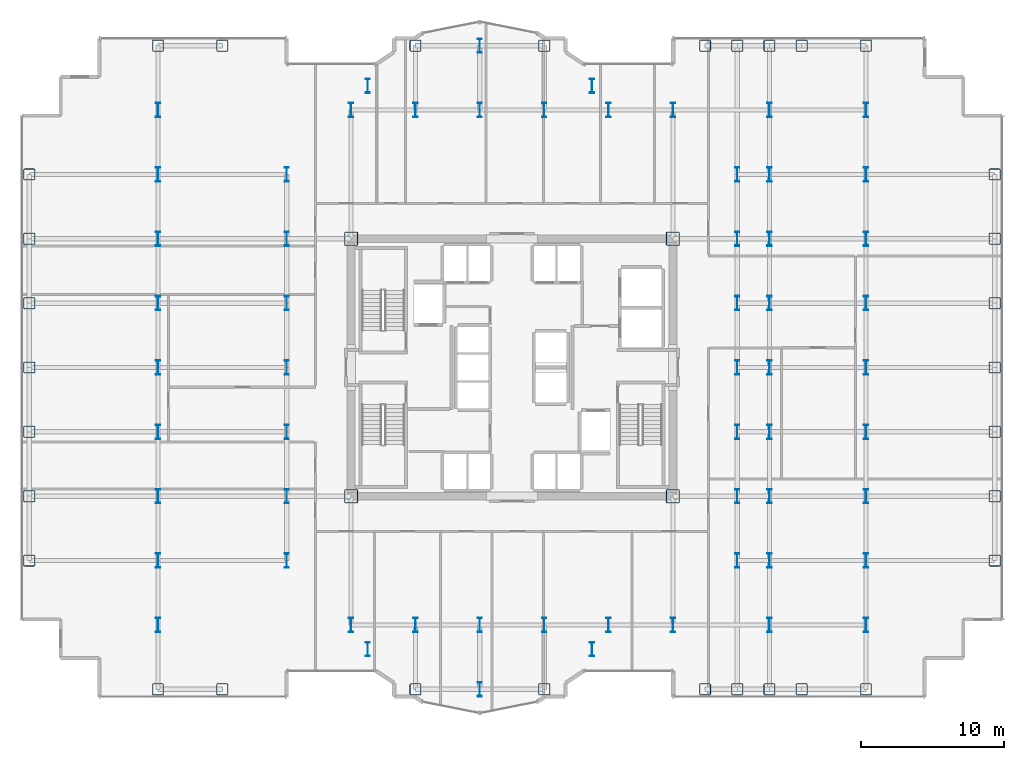
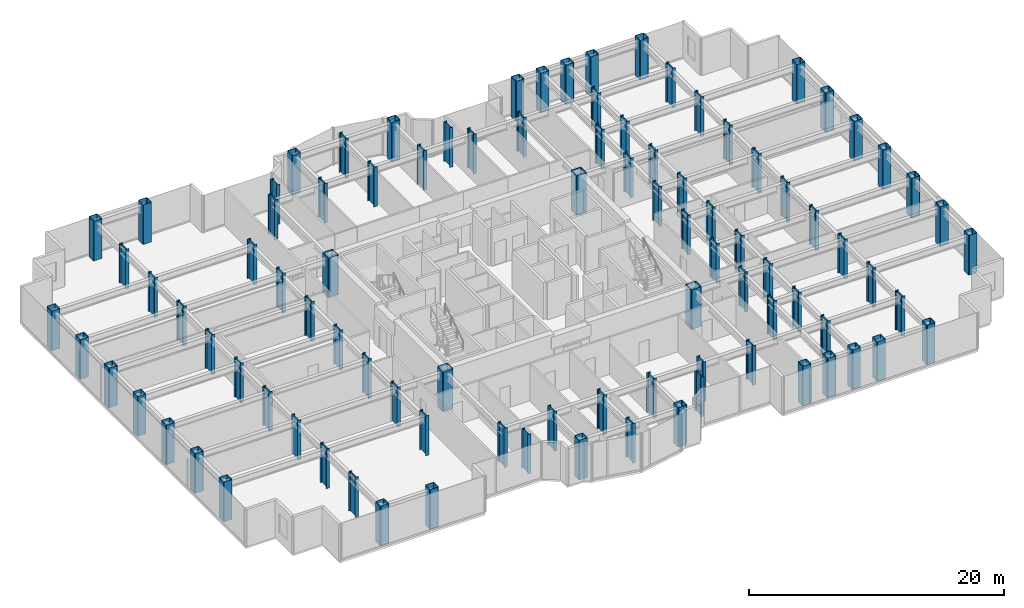
# One storey, part 1 of 26: 95 columns.
"""IFC4 building model written with IfcOpenShell, lengths in metres."""

import ifcopenshell
import ifcopenshell.guid

model = None  # the IFC model being written
_history = None  # IfcOwnerHistory: only IFC2X3 demands one
_inside = {}  # id of a spatial element -> (the spatial element, [elements in it])
_under = {}  # id of a project, library or spatial element -> (it, [spatial elements below it])
_declared = {}  # id of a project -> (the project, [libraries it declares])
_typed = {}  # id of a type object -> (the type object, [elements of that type])
_made_of = {}  # id of a material, layer set ... -> (it, [elements and type objects made of it])


def new_model(schema):
    """Start an empty IFC model of exactly this schema.

    Asked for "IFC4X3", IfcOpenShell would pick the latest addendum, in which some entities
    have other attributes; the version numbers below select the first issue.
    IFC2X3 requires an IfcOwnerHistory on every rooted entity: one is made here for all.
    """
    global model, _history
    if schema == "IFC4X3":
        model = ifcopenshell.file(schema_version=(4, 3, 0, 0))
    else:
        model = ifcopenshell.file(schema=schema)
    _inside.clear()
    _under.clear()
    _declared.clear()
    _typed.clear()
    _made_of.clear()
    _history = None
    if model.schema == "IFC2X3":
        org = make("IfcOrganization", Name="unknown")
        user = make(
            "IfcPersonAndOrganization",
            ThePerson=make("IfcPerson", FamilyName="unknown"),
            TheOrganization=org,
        )
        app = make(
            "IfcApplication",
            ApplicationDeveloper=org,
            Version="unknown",
            ApplicationFullName="unknown",
            ApplicationIdentifier="unknown",
        )
        _history = make(
            "IfcOwnerHistory",
            OwningUser=user,
            OwningApplication=app,
            ChangeAction="ADDED",
            CreationDate=0,
        )
    return model


def make(cls, **values):
    """One entity of the class cls with the attributes given. An attribute that is None is left unset."""
    return model.create_entity(
        cls, **{name: value for name, value in values.items() if value is not None}
    )


def rooted(cls, **values):
    """An entity with a GlobalId (a new one), such as an element, a storey or a relation."""
    return make(cls, GlobalId=ifcopenshell.guid.new(), OwnerHistory=_history, **values)


def si_unit(unit_type, name, prefix=None):
    """IfcSIUnit, for example si_unit("LENGTHUNIT", "METRE", prefix="MILLI")."""
    return make("IfcSIUnit", UnitType=unit_type, Prefix=prefix, Name=name)


def assignment(units):
    """IfcUnitAssignment: the units of a project."""
    return None if units is None else make("IfcUnitAssignment", Units=units)


def point(xyz):
    """IfcCartesianPoint."""
    return None if xyz is None else make("IfcCartesianPoint", Coordinates=xyz)


def direction(xyz):
    """IfcDirection."""
    return None if xyz is None else make("IfcDirection", DirectionRatios=xyz)


def frame(location, z_axis=None, x_axis=None):
    """IfcAxis2Placement3D, a coordinate frame: its origin and axes. An axis left out is left unset."""
    return make(
        "IfcAxis2Placement3D",
        Location=point(location),
        Axis=direction(z_axis),
        RefDirection=direction(x_axis),
    )


def frame_2d(location, x_axis=None):
    """IfcAxis2Placement2D, a coordinate frame in the plane: its origin and x axis."""
    return make(
        "IfcAxis2Placement2D", Location=point(location), RefDirection=direction(x_axis)
    )


def origin():
    """The frame at (0, 0, 0) with its axes left unset."""
    return frame((0.0, 0.0, 0.0))


def origin_2d():
    """The frame at (0, 0) in the plane with its x axis left unset."""
    return frame_2d((0.0, 0.0))


def place(relative_to, where):
    """IfcLocalPlacement: puts the frame where relative to a parent placement (None: the world)."""
    return make(
        "IfcLocalPlacement", PlacementRelTo=relative_to, RelativePlacement=where
    )


def context(
    kind, dimensions, precision=None, world=None, true_north=None, identifier=None
):
    """IfcGeometricRepresentationContext, for example the 3D "Model" context."""
    return make(
        "IfcGeometricRepresentationContext",
        ContextIdentifier=identifier,
        ContextType=kind,
        CoordinateSpaceDimension=dimensions,
        Precision=precision,
        WorldCoordinateSystem=world,
        TrueNorth=true_north,
    )


def subcontext(parent, identifier, kind, view, scale=None):
    """IfcGeometricRepresentationSubContext, for example "Body" below "Model"."""
    return make(
        "IfcGeometricRepresentationSubContext",
        ContextIdentifier=identifier,
        ContextType=kind,
        ParentContext=parent,
        TargetScale=scale,
        TargetView=view,
    )


def project(units=None, contexts=None):
    """IfcProject with its units and contexts."""
    return rooted(
        "IfcProject",
        Name="project",
        RepresentationContexts=contexts,
        UnitsInContext=assignment(units),
    )


def spatial(cls, under=None, at=None, **own):
    """A site, building, storey or space (cls), placed at a placement, below another one or the project."""
    s = rooted(cls, ObjectPlacement=at, **own)
    if under is not None:
        _under.setdefault(under.id(), (under, []))[1].append(s)
    return s


def profile(cls, at=None, kind="AREA", **sizes):
    """A parametric profile (cls). Its sizes go by their IFC names, for example OverallWidth=200.0."""
    return make(cls, ProfileType=kind, Position=at, **sizes)


def hollow_rectangle(**sizes):
    """IfcRectangleHollowProfileDef."""
    return profile("IfcRectangleHollowProfileDef", **sizes)


def i_section(**sizes):
    """IfcIShapeProfileDef."""
    return profile("IfcIShapeProfileDef", **sizes)


def extrude(swept, where, along, depth):
    """IfcExtrudedAreaSolid: the profile swept, set in the frame where, extruded along a direction by depth."""
    return make(
        "IfcExtrudedAreaSolid",
        SweptArea=swept,
        Position=where,
        ExtrudedDirection=direction(along),
        Depth=depth,
    )


def shape(context_of_items, identifier, shape_type, items):
    """IfcShapeRepresentation: the items that make up one representation, for example the "Body"."""
    return make(
        "IfcShapeRepresentation",
        ContextOfItems=context_of_items,
        RepresentationIdentifier=identifier,
        RepresentationType=shape_type,
        Items=items,
    )


def source(mapping_origin, context_of_items, identifier, shape_type, items):
    """IfcRepresentationMap: a shape defined once, which mapped items show again and again."""
    return make(
        "IfcRepresentationMap",
        MappingOrigin=mapping_origin,
        MappedRepresentation=shape(context_of_items, identifier, shape_type, items),
    )


def transform(
    local_origin,
    x_axis=None,
    y_axis=None,
    z_axis=None,
    scale=None,
    scale2=None,
    scale3=None,
    uniform=True,
):
    """IfcCartesianTransformationOperator3D, or its non-uniform kind. x_axis, y_axis, z_axis: its Axis1, 2, 3."""
    if uniform:
        return make(
            "IfcCartesianTransformationOperator3D",
            Axis1=direction(x_axis),
            Axis2=direction(y_axis),
            LocalOrigin=point(local_origin),
            Scale=scale,
            Axis3=direction(z_axis),
        )
    return make(
        "IfcCartesianTransformationOperator3DnonUniform",
        Axis1=direction(x_axis),
        Axis2=direction(y_axis),
        LocalOrigin=point(local_origin),
        Scale=scale,
        Axis3=direction(z_axis),
        Scale2=scale2,
        Scale3=scale3,
    )


def mapped(mapping_source, mapping_target):
    """IfcMappedItem: shows the shape of a source again, moved by a transform."""
    return make(
        "IfcMappedItem", MappingSource=mapping_source, MappingTarget=mapping_target
    )


def material(Name=None, Category=None):
    """IfcMaterial."""
    return make("IfcMaterial", Name=Name, Category=Category)


def material_profile(
    of_material, cross_section, Name=None, Category=None, Priority=None
):
    """IfcMaterialProfile: a cross section and its material."""
    return make(
        "IfcMaterialProfile",
        Name=Name,
        Material=of_material,
        Profile=cross_section,
        Priority=Priority,
        Category=Category,
    )


def profile_set(profiles, Name=None, composite=None):
    """IfcMaterialProfileSet."""
    return make(
        "IfcMaterialProfileSet",
        Name=Name,
        MaterialProfiles=profiles,
        CompositeProfile=composite,
    )


def made_of(thing, what):
    """Note that an element or type object is made of a material, layer set ...; save() writes the relation."""
    if what is not None:
        _made_of.setdefault(what.id(), (what, []))[1].append(thing)
    return thing


def type_object(cls, material=None, **own):
    """A type object (cls), such as IfcWallType, which elements share."""
    return made_of(rooted(cls, **own), material)


def element(
    cls,
    number,
    at=None,
    inside=None,
    cuts=None,
    type_object=None,
    material=None,
    context=None,
    identifier="Body",
    shape_type=None,
    held_by="IfcProductDefinitionShape",
    body=None,
    shapes=None,
    **own,
):
    """One element of the class cls, such as IfcWall. Its Tag is "e" and its number.

    at: its placement. inside: the storey or other place that contains it. cuts: it is an
    opening in that element (IfcRelVoidsElement). A single representation is given by context,
    identifier, shape_type and body (its items); several are given by shapes. held_by: the class
    of the entity that holds the representations. save() writes the other relations.
    """
    e = rooted(cls, Tag="e%d" % number, ObjectPlacement=at, **own)
    if body is not None:
        shapes = [shape(context, identifier, shape_type, body)]
    if shapes is not None:
        e.Representation = make(held_by, Representations=shapes)
    if inside is not None:
        _inside.setdefault(inside.id(), (inside, []))[1].append(e)
    if cuts is not None:
        rooted(
            "IfcRelVoidsElement", RelatingBuildingElement=cuts, RelatedOpeningElement=e
        )
    if type_object is not None:
        _typed.setdefault(type_object.id(), (type_object, []))[1].append(e)
    return made_of(e, material)


def aggregate(whole, parts):
    """IfcRelAggregates: a whole, such as a stair, and the parts it consists of."""
    return rooted("IfcRelAggregates", RelatingObject=whole, RelatedObjects=parts)


def save(model, path):
    """Write the relations noted so far, then the file.

    IfcRelAggregates (storeys below a building ...), IfcRelContainedInSpatialStructure (elements
    in a storey), IfcRelDefinesByType, IfcRelAssociatesMaterial and IfcRelDeclares: one each for
    every whole, place, type object, material and project.
    """
    for whole, parts in _under.values():
        aggregate(whole, parts)
    for where, things in _inside.values():
        rooted(
            "IfcRelContainedInSpatialStructure",
            RelatedElements=things,
            RelatingStructure=where,
        )
    for kind, things in _typed.values():
        rooted("IfcRelDefinesByType", RelatedObjects=things, RelatingType=kind)
    for what, things in _made_of.values():
        rooted("IfcRelAssociatesMaterial", RelatedObjects=things, RelatingMaterial=what)
    for by, libraries in _declared.values():
        rooted("IfcRelDeclares", RelatingContext=by, RelatedDefinitions=libraries)
    model.write(path)


model = new_model("IFC4")

# Units and contexts
model_context = context("Model", 3, precision=1e-05, world=origin(), true_north=direction((0.0, 1.0)))
body_context = subcontext(model_context, "Body", "Model", "MODEL_VIEW")
ifc_project = project(units=[si_unit("LENGTHUNIT", "METRE"), si_unit("AREAUNIT", "SQUARE_METRE"), si_unit("VOLUMEUNIT", "CUBIC_METRE"), si_unit("PLANEANGLEUNIT", "RADIAN"), si_unit("MASSUNIT", "GRAM", prefix="KILO")], contexts=[model_context])

# Site, building, storey
site_placement = place(None, origin())
site = spatial("IfcSite", under=ifc_project, at=site_placement, CompositionType="ELEMENT")
building_placement = place(site_placement, origin())
building = spatial("IfcBuilding", under=site, at=building_placement, Name="Nefas-Gora Pilgrimage Tower", CompositionType="ELEMENT")
storey_placement = place(building_placement, frame((0.0, 0.0, 117.39990234375)))
storey = spatial("IfcBuildingStorey", under=building, at=storey_placement, Name="L28", CompositionType="ELEMENT", Elevation=117.39990234375)

# Columns
ifc_material = material(Name="Steel S460", Category="steel")
ifc_material_profile_1 = material_profile(ifc_material, i_section(OverallWidth=0.302001953125, OverallDepth=1.008056640625, WebThickness=0.02099609375, FlangeThickness=0.0400390625, FilletRadius=0.030029296875, at=origin_2d()), Name="HEM 1000")
ifc_profile_set_1 = profile_set([ifc_material_profile_1], Name="Steel S460")
column_type_1 = type_object("IfcColumnType", Name="COL-WEB-HEM1000", PredefinedType="COLUMN", material=ifc_profile_set_1)
shared_shape_1 = source(origin(), body_context, "Body", "SweptSolid", [
    extrude(i_section(OverallWidth=0.302001953125, OverallDepth=1.008056640625, WebThickness=0.02099609375, FlangeThickness=0.0400390625, FilletRadius=0.030029296875, at=origin_2d()), origin(), (0.0, 0.0, 1.0), 3.800048828125),
])
for number, where, z_axis, x_axis, name in (
    (1, (-24.75, -18.0, 0.0), (0.0, 0.0, 1.0), (1.0, 0.0, 0.0), "L28 Tower Column CW-01.9"),
    (2, (-24.75, -13.5, 0.0), (0.0, 0.0, 1.0), (1.0, 0.0, 0.0), "L28 Tower Column CW-01.10"),
    (3, (-24.75, -9.0, 0.0), (0.0, 0.0, 1.0), (1.0, 0.0, 0.0), "L28 Tower Column CW-01.11"),
    (4, (-24.75, -4.5, 0.0), (0.0, 0.0, 1.0), (1.0, 0.0, 0.0), "L28 Tower Column CW-01.12"),
    (5, (-24.75, 0.0, 0.0), (0.0, 0.0, 1.0), (1.0, 0.0, 0.0), "L28 Tower Column CW-01.13"),
    (6, (-24.75, 4.5, 0.0), (0.0, 0.0, 1.0), (1.0, 0.0, 0.0), "L28 Tower Column CW-01.14"),
    (7, (-24.75, 9.0, 0.0), (0.0, 0.0, 1.0), (1.0, 0.0, 0.0), "L28 Tower Column CW-01.15"),
    (8, (-24.75, 13.5, 0.0), (0.0, 0.0, 1.0), (1.0, 0.0, 0.0), "L28 Tower Column CW-01.16"),
    (9, (-24.75, 18.0, 0.0), (0.0, 0.0, 1.0), (1.0, 0.0, 0.0), "L28 Tower Column CW-01.17"),
    (10, (-15.75, -13.5, 0.0), (0.0, 0.0, 1.0), (1.0, 0.0, 0.0), "L28 Tower Column CW-01.21"),
    (11, (-15.75, -9.0, 0.0), (0.0, 0.0, 1.0), (1.0, 0.0, 0.0), "L28 Tower Column CW-01.22"),
    (12, (-15.75, -4.5, 0.0), (0.0, 0.0, 1.0), (1.0, 0.0, 0.0), "L28 Tower Column CW-01.23"),
    (13, (-15.75, 0.0, 0.0), (0.0, 0.0, 1.0), (1.0, 0.0, 0.0), "L28 Tower Column CW-01.24"),
    (14, (-15.75, 4.5, 0.0), (0.0, 0.0, 1.0), (1.0, 0.0, 0.0), "L28 Tower Column CW-01.25"),
    (15, (-15.75, 9.0, 0.0), (0.0, 0.0, 1.0), (1.0, 0.0, 0.0), "L28 Tower Column CW-01.26"),
    (16, (-15.75, 13.5, 0.0), (0.0, 0.0, 1.0), (1.0, 0.0, 0.0), "L28 Tower Column CW-01.27"),
    (17, (-11.25, -18.0, 0.0), (0.0, 0.0, 1.0), (1.0, 0.0, 0.0), "L28 Tower Column CW-01.28"),
    (18, (-11.25, 18.0, 0.0), (0.0, 0.0, 1.0), (1.0, 0.0, 0.0), "L28 Tower Column CW-01.31"),
    (19, (-10.091064453125, -19.696044921875, 0.0), (0.0, 0.0, 1.0), (1.0, 0.0, 0.0), "L28 Tower Column CW-01.32"),
    (20, (-10.091064453125, 19.696044921875, 0.0), (0.0, 0.0, 1.0), (1.0, 0.0, 0.0), "L28 Tower Column CW-01.33"),
    (21, (-6.75, -18.0, 0.0), (0.0, 0.0, 1.0), (1.0, 0.0, 0.0), "L28 Tower Column CW-01.35"),
    (22, (-6.75, 18.0, 0.0), (0.0, 0.0, 1.0), (1.0, 0.0, 0.0), "L28 Tower Column CW-01.36"),
    (23, (-2.25, -22.5, 0.0), (0.0, 0.0, 1.0), (1.0, 0.0, 0.0), "L28 Tower Column CW-01.38"),
    (24, (-2.25, -18.0, 0.0), (0.0, 0.0, 1.0), (1.0, 0.0, 0.0), "L28 Tower Column CW-01.39"),
    (25, (-2.25, 18.0, 0.0), (0.0, 0.0, 1.0), (1.0, 0.0, 0.0), "L28 Tower Column CW-01.40"),
    (26, (-2.25, 22.5, 0.0), (0.0, 0.0, 1.0), (1.0, 0.0, 0.0), "L28 Tower Column CW-01.41"),
    (27, (2.25, -18.0, 0.0), (0.0, 0.0, 1.0), (1.0, 0.0, 0.0), "L28 Tower Column CW-01.43"),
    (28, (2.25, 18.0, 0.0), (0.0, 0.0, 1.0), (1.0, 0.0, 0.0), "L28 Tower Column CW-01.44"),
    (29, (5.591064453125, -19.696044921875, 0.0), (0.0, 0.0, 1.0), (1.0, 0.0, 0.0), "L28 Tower Column CW-01.46"),
    (30, (5.591064453125, 19.696044921875, 0.0), (0.0, 0.0, 1.0), (1.0, 0.0, 0.0), "L28 Tower Column CW-01.47"),
    (31, (6.75, -18.0, 0.0), (0.0, 0.0, 1.0), (1.0, 0.0, 0.0), "L28 Tower Column CW-01.48"),
    (32, (6.75, 18.0, 0.0), (0.0, 0.0, 1.0), (1.0, 0.0, 0.0), "L28 Tower Column CW-01.49"),
    (33, (11.25, -18.0, 0.0), (0.0, 0.0, 1.0), (1.0, 0.0, 0.0), "L28 Tower Column CW-01.50"),
    (34, (11.25, 18.0, 0.0), (0.0, 0.0, 1.0), (1.0, 0.0, 0.0), "L28 Tower Column CW-01.53"),
    (35, (15.75, -13.5, 0.0), (0.0, 0.0, 1.0), (1.0, 0.0, 0.0), "L28 Tower Column CW-01.57"),
    (36, (15.75, -9.0, 0.0), (0.0, 0.0, 1.0), (1.0, 0.0, 0.0), "L28 Tower Column CW-01.58"),
    (37, (15.75, -4.5, 0.0), (0.0, 0.0, 1.0), (1.0, 0.0, 0.0), "L28 Tower Column CW-01.59"),
    (38, (15.75, 0.0, 0.0), (0.0, 0.0, 1.0), (1.0, 0.0, 0.0), "L28 Tower Column CW-01.60"),
    (39, (15.75, 4.5, 0.0), (0.0, 0.0, 1.0), (1.0, 0.0, 0.0), "L28 Tower Column CW-01.61"),
    (40, (15.75, 9.0, 0.0), (0.0, 0.0, 1.0), (1.0, 0.0, 0.0), "L28 Tower Column CW-01.62"),
    (41, (15.75, 13.5, 0.0), (0.0, 0.0, 1.0), (1.0, 0.0, 0.0), "L28 Tower Column CW-01.63"),
    (42, (18.0, -18.0, 0.0), (0.0, 0.0, 1.0), (1.0, 0.0, 0.0), "L28 Tower Column CW-01.66"),
    (43, (18.0, -13.5, 0.0), (0.0, 0.0, 1.0), (1.0, 0.0, 0.0), "L28 Tower Column CW-01.67"),
    (44, (18.0, -9.0, 0.0), (0.0, 0.0, 1.0), (1.0, 0.0, 0.0), "L28 Tower Column CW-01.68"),
    (45, (18.0, -4.5, 0.0), (0.0, 0.0, 1.0), (1.0, 0.0, 0.0), "L28 Tower Column CW-01.69"),
    (46, (18.0, 0.0, 0.0), (0.0, 0.0, 1.0), (1.0, 0.0, 0.0), "L28 Tower Column CW-01.70"),
    (47, (18.0, 4.5, 0.0), (0.0, 0.0, 1.0), (1.0, 0.0, 0.0), "L28 Tower Column CW-01.71"),
    (48, (18.0, 9.0, 0.0), (0.0, 0.0, 1.0), (1.0, 0.0, 0.0), "L28 Tower Column CW-01.72"),
    (49, (18.0, 13.5, 0.0), (0.0, 0.0, 1.0), (1.0, 0.0, 0.0), "L28 Tower Column CW-01.73"),
    (50, (18.0, 18.0, 0.0), (0.0, 0.0, 1.0), (1.0, 0.0, 0.0), "L28 Tower Column CW-01.74"),
    (51, (24.75, -18.0, 0.0), (0.0, 0.0, 1.0), (1.0, 0.0, 0.0), "L28 Tower Column CW-01.79"),
    (52, (24.75, -13.5, 0.0), (0.0, 0.0, 1.0), (1.0, 0.0, 0.0), "L28 Tower Column CW-01.80"),
    (53, (24.75, -9.0, 0.0), (0.0, 0.0, 1.0), (1.0, 0.0, 0.0), "L28 Tower Column CW-01.81"),
    (54, (24.75, -4.5, 0.0), (0.0, 0.0, 1.0), (1.0, 0.0, 0.0), "L28 Tower Column CW-01.82"),
    (55, (24.75, 0.0, 0.0), (0.0, 0.0, 1.0), (1.0, 0.0, 0.0), "L28 Tower Column CW-01.83"),
    (56, (24.75, 4.5, 0.0), (0.0, 0.0, 1.0), (1.0, 0.0, 0.0), "L28 Tower Column CW-01.84"),
    (57, (24.75, 9.0, 0.0), (0.0, 0.0, 1.0), (1.0, 0.0, 0.0), "L28 Tower Column CW-01.85"),
    (58, (24.75, 13.5, 0.0), (0.0, 0.0, 1.0), (1.0, 0.0, 0.0), "L28 Tower Column CW-01.86"),
    (59, (24.75, 18.0, 0.0), (0.0, 0.0, 1.0), (1.0, 0.0, 0.0), "L28 Tower Column CW-01.87"),
):
    element("IfcColumn", number, at=place(storey_placement, frame(where, z_axis=z_axis, x_axis=x_axis)), inside=storey, type_object=column_type_1, Name=name, PredefinedType="COLUMN", context=body_context, shape_type="MappedRepresentation", body=[
        mapped(shared_shape_1, transform((0.0, 0.0, 0.0), x_axis=(1.0, 0.0, 0.0), y_axis=(0.0, 1.0, 0.0), z_axis=(0.0, 0.0, 1.0), scale=1.0)),
    ])
ifc_material_profile_2 = material_profile(ifc_material, hollow_rectangle(XDim=0.949951171875, YDim=0.949951171875, WallThickness=0.044921875, InnerFilletRadius=0.044921875, OuterFilletRadius=0.090087890625, at=origin_2d()), Name="BOX 950x950x45")
ifc_profile_set_2 = profile_set([ifc_material_profile_2], Name="Steel S460")
column_type_2 = type_object("IfcColumnType", Name="COL-CORE-950", PredefinedType="COLUMN", material=ifc_profile_set_2)
shared_shape_2 = source(origin(), body_context, "Body", "SweptSolid", [
    extrude(hollow_rectangle(XDim=0.949951171875, YDim=0.949951171875, WallThickness=0.044921875, InnerFilletRadius=0.044921875, OuterFilletRadius=0.090087890625, at=origin_2d()), origin(), (0.0, 0.0, 1.0), 3.800048828125),
])
for number, where, z_axis, x_axis, name in (
    (60, (-11.25, -9.0, 0.0), (0.0, 0.0, 1.0), (1.0, 0.0, 0.0), "L28 Tower Column CC-Z1.29"),
    (61, (-11.25, 9.0, 0.0), (0.0, 0.0, 1.0), (1.0, 0.0, 0.0), "L28 Tower Column CC-Z1.30"),
    (62, (11.25, -9.0, 0.0), (0.0, 0.0, 1.0), (1.0, 0.0, 0.0), "L28 Tower Column CC-Z1.51"),
    (63, (11.25, 9.0, 0.0), (0.0, 0.0, 1.0), (1.0, 0.0, 0.0), "L28 Tower Column CC-Z1.52"),
):
    element("IfcColumn", number, at=place(storey_placement, frame(where, z_axis=z_axis, x_axis=x_axis)), inside=storey, type_object=column_type_2, Name=name, PredefinedType="COLUMN", context=body_context, shape_type="MappedRepresentation", body=[
        mapped(shared_shape_2, transform((0.0, 0.0, 0.0), x_axis=(1.0, 0.0, 0.0), y_axis=(0.0, 1.0, 0.0), z_axis=(0.0, 0.0, 1.0), scale=1.0)),
    ])
ifc_material_profile_3 = material_profile(ifc_material, hollow_rectangle(XDim=0.800048828125, YDim=0.800048828125, WallThickness=0.0400390625, InnerFilletRadius=0.0400390625, OuterFilletRadius=0.080078125, at=origin_2d()), Name="BOX 800x800x40")
ifc_profile_set_3 = profile_set([ifc_material_profile_3], Name="Steel S460")
column_type_3 = type_object("IfcColumnType", Name="COL-TUBE-800", PredefinedType="COLUMN", material=ifc_profile_set_3)
shared_shape_3 = source(origin(), body_context, "Body", "SweptSolid", [
    extrude(hollow_rectangle(XDim=0.800048828125, YDim=0.800048828125, WallThickness=0.0400390625, InnerFilletRadius=0.0400390625, OuterFilletRadius=0.080078125, at=origin_2d()), origin(), (0.0, 0.0, 1.0), 3.800048828125),
])
for number, where, z_axis, x_axis, name in (
    (64, (-33.75, -13.5, 0.0), (0.0, 0.0, 1.0), (1.0, 0.0, 0.0), "L28 Tower Column C-Z2.1"),
    (65, (-33.75, -9.0, 0.0), (0.0, 0.0, 1.0), (1.0, 0.0, 0.0), "L28 Tower Column C-Z2.2"),
    (66, (-33.75, -4.5, 0.0), (0.0, 0.0, 1.0), (1.0, 0.0, 0.0), "L28 Tower Column C-Z2.3"),
    (67, (-33.75, 0.0, 0.0), (0.0, 0.0, 1.0), (1.0, 0.0, 0.0), "L28 Tower Column C-Z2.4"),
    (68, (-33.75, 4.5, 0.0), (0.0, 0.0, 1.0), (1.0, 0.0, 0.0), "L28 Tower Column C-Z2.5"),
    (69, (-33.75, 9.0, 0.0), (0.0, 0.0, 1.0), (1.0, 0.0, 0.0), "L28 Tower Column C-Z2.6"),
    (70, (-33.75, 13.5, 0.0), (0.0, 0.0, 1.0), (1.0, 0.0, 0.0), "L28 Tower Column C-Z2.7"),
    (71, (-24.75, -22.5, 0.0), (0.0, 0.0, 1.0), (1.0, 0.0, 0.0), "L28 Tower Column C-Z2.8"),
    (72, (-24.75, 22.5, 0.0), (0.0, 0.0, 1.0), (1.0, 0.0, 0.0), "L28 Tower Column C-Z2.18"),
    (73, (-20.25, -22.5, 0.0), (0.0, 0.0, 1.0), (1.0, 0.0, 0.0), "L28 Tower Column C-Z2.19"),
    (74, (-20.25, 22.5, 0.0), (0.0, 0.0, 1.0), (1.0, 0.0, 0.0), "L28 Tower Column C-Z2.20"),
    (75, (-6.75, -22.5, 0.0), (0.0, 0.0, 1.0), (1.0, 0.0, 0.0), "L28 Tower Column C-Z2.34"),
    (76, (-6.75, 22.5, 0.0), (0.0, 0.0, 1.0), (1.0, 0.0, 0.0), "L28 Tower Column C-Z2.37"),
    (77, (2.25, -22.5, 0.0), (0.0, 0.0, 1.0), (1.0, 0.0, 0.0), "L28 Tower Column C-Z2.42"),
    (78, (2.25, 22.5, 0.0), (0.0, 0.0, 1.0), (1.0, 0.0, 0.0), "L28 Tower Column C-Z2.45"),
    (79, (13.5, -22.5, 0.0), (0.0, 0.0, 1.0), (1.0, 0.0, 0.0), "L28 Tower Column C-Z2.54"),
    (80, (13.5, 22.5, 0.0), (0.0, 0.0, 1.0), (1.0, 0.0, 0.0), "L28 Tower Column C-Z2.55"),
    (81, (15.75, -22.5, 0.0), (0.0, 0.0, 1.0), (1.0, 0.0, 0.0), "L28 Tower Column C-Z2.56"),
    (82, (15.75, 22.5, 0.0), (0.0, 0.0, 1.0), (1.0, 0.0, 0.0), "L28 Tower Column C-Z2.64"),
    (83, (18.0, -22.5, 0.0), (0.0, 0.0, 1.0), (1.0, 0.0, 0.0), "L28 Tower Column C-Z2.65"),
    (84, (18.0, 22.5, 0.0), (0.0, 0.0, 1.0), (1.0, 0.0, 0.0), "L28 Tower Column C-Z2.75"),
    (85, (20.25, -22.5, 0.0), (0.0, 0.0, 1.0), (1.0, 0.0, 0.0), "L28 Tower Column C-Z2.76"),
    (86, (20.25, 22.5, 0.0), (0.0, 0.0, 1.0), (1.0, 0.0, 0.0), "L28 Tower Column C-Z2.77"),
    (87, (24.75, -22.5, 0.0), (0.0, 0.0, 1.0), (1.0, 0.0, 0.0), "L28 Tower Column C-Z2.78"),
    (88, (24.75, 22.5, 0.0), (0.0, 0.0, 1.0), (1.0, 0.0, 0.0), "L28 Tower Column C-Z2.88"),
    (89, (33.75, -13.5, 0.0), (0.0, 0.0, 1.0), (1.0, 0.0, 0.0), "L28 Tower Column C-Z2.89"),
    (90, (33.75, -9.0, 0.0), (0.0, 0.0, 1.0), (1.0, 0.0, 0.0), "L28 Tower Column C-Z2.90"),
    (91, (33.75, -4.5, 0.0), (0.0, 0.0, 1.0), (1.0, 0.0, 0.0), "L28 Tower Column C-Z2.91"),
    (92, (33.75, 0.0, 0.0), (0.0, 0.0, 1.0), (1.0, 0.0, 0.0), "L28 Tower Column C-Z2.92"),
    (93, (33.75, 4.5, 0.0), (0.0, 0.0, 1.0), (1.0, 0.0, 0.0), "L28 Tower Column C-Z2.93"),
    (94, (33.75, 9.0, 0.0), (0.0, 0.0, 1.0), (1.0, 0.0, 0.0), "L28 Tower Column C-Z2.94"),
    (95, (33.75, 13.5, 0.0), (0.0, 0.0, 1.0), (1.0, 0.0, 0.0), "L28 Tower Column C-Z2.95"),
):
    element("IfcColumn", number, at=place(storey_placement, frame(where, z_axis=z_axis, x_axis=x_axis)), inside=storey, type_object=column_type_3, Name=name, PredefinedType="COLUMN", context=body_context, shape_type="MappedRepresentation", body=[
        mapped(shared_shape_3, transform((0.0, 0.0, 0.0), x_axis=(1.0, 0.0, 0.0), y_axis=(0.0, 1.0, 0.0), z_axis=(0.0, 0.0, 1.0), scale=1.0)),
    ])

save(model, "model.ifc")
